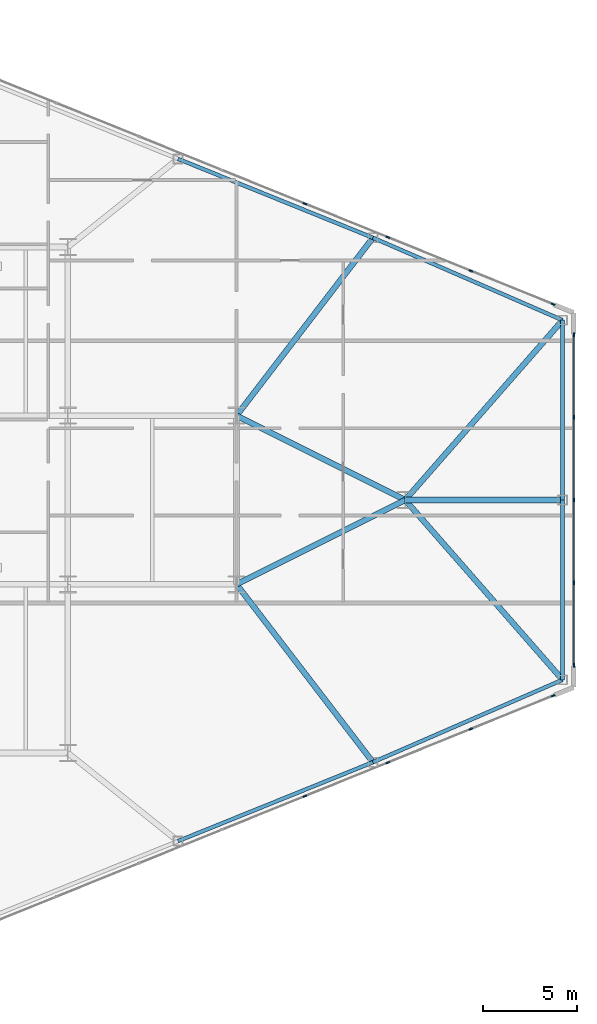
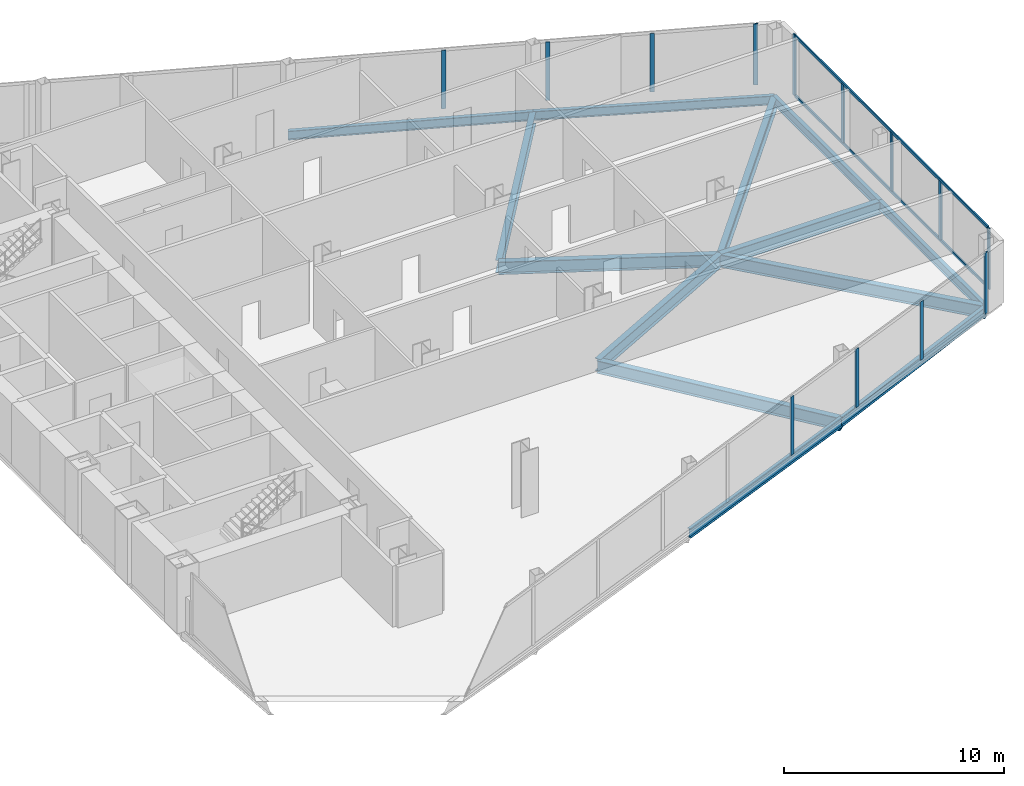
# One storey, part 14 of 25: 15 members, 13 beams, 3 elements without a shape of their own.
"""IFC4 building model written with IfcOpenShell, lengths in metres."""

from ifc_helpers import new_model, si_unit, direction, frame, origin, origin_2d, place, context, subcontext, project, spatial, rectangle, i_section, extrude, source, transform, mapped, material, layer, layer_set, material_profile, profile_set, type_object, type_shapes, element, aggregate, save


model = new_model("IFC4")

# Units and contexts
model_context = context("Model", 3, precision=1e-05, world=origin(), true_north=direction((0.0, 1.0)))
body_context = subcontext(model_context, "Body", "Model", "MODEL_VIEW")
ifc_project = project(units=[si_unit("LENGTHUNIT", "METRE"), si_unit("AREAUNIT", "SQUARE_METRE"), si_unit("VOLUMEUNIT", "CUBIC_METRE"), si_unit("PLANEANGLEUNIT", "RADIAN"), si_unit("MASSUNIT", "GRAM", prefix="KILO")], contexts=[model_context])

# Site, building, storey
site_placement = place(None, origin())
site = spatial("IfcSite", under=ifc_project, at=site_placement, CompositionType="ELEMENT")
building_placement = place(site_placement, origin())
building = spatial("IfcBuilding", under=site, at=building_placement, Name="Seokmaru Belvedere", CompositionType="ELEMENT")
storey_placement = place(building_placement, frame((0.0, 0.0, 58.5)))
storey = spatial("IfcBuildingStorey", under=building, at=storey_placement, Name="L15", CompositionType="ELEMENT", Elevation=58.5)

# Beams
ifc_material_1 = material(Name="Steel SM355 (355 MPa)", Category="steel")
ifc_material_profile_1 = material_profile(ifc_material_1, i_section(OverallWidth=0.300048828125, OverallDepth=0.699951171875, WebThickness=0.012939453125, FlangeThickness=0.02392578125, at=origin_2d()), Name="H-700x300x13x24")
ifc_profile_set_1 = profile_set([ifc_material_profile_1], Name="Steel SM355 (355 MPa)")
beam_type_1 = type_object("IfcBeamType", Name="Primary Floor Girder H-700", PredefinedType="BEAM", material=ifc_profile_set_1)
shared_shape_1 = source(origin(), body_context, "Body", "SweptSolid", [
    extrude(i_section(OverallWidth=0.300048828125, OverallDepth=0.699951171875, WebThickness=0.012939453125, FlangeThickness=0.02392578125, at=origin_2d()), origin(), (0.0, 0.0, 1.0), 10.062255859375),
])
for number, where, z_axis, x_axis, name in (
    (1, (54.5, -4.5, -0.570068359375), (0.894427191, 0.4472135955, 0.0), (-0.4472135955, 0.894427191, 0.0), "L15 E Apex Converging Girder 1"),
    (2, (54.5, 4.5, -0.570068359375), (0.894427191, -0.4472135955, 0.0), (0.4472135955, 0.894427191, 0.0), "L15 E Apex Converging Girder 2"),
):
    element("IfcBeam", number, at=place(storey_placement, frame(where, z_axis=z_axis, x_axis=x_axis)), inside=storey, type_object=beam_type_1, Name=name, PredefinedType="BEAM", context=body_context, shape_type="MappedRepresentation", body=[
        mapped(shared_shape_1, transform((0.0, 0.0, 0.0), scale=1.0)),
    ])
shared_shape_2 = source(origin(), body_context, "Body", "SweptSolid", [
    extrude(i_section(OverallWidth=0.300048828125, OverallDepth=0.699951171875, WebThickness=0.012939453125, FlangeThickness=0.02392578125, at=origin_2d()), origin(), (0.0, 0.0, 1.0), 12.7529296875),
])
for number, where, z_axis, x_axis, name in (
    (3, (71.89990234375, -9.595703125, -0.570068359375), (-0.658667231479, 0.752434368019, 0.0), (-0.752434368019, -0.658667231479, 0.0), "L15 E Apex Radial Floor Girder 1"),
    (4, (71.89990234375, 9.595703125, -0.570068359375), (-0.658667231479, -0.752434368019, 0.0), (0.752434368019, -0.658667231479, 0.0), "L15 E Apex Radial Floor Girder 2"),
):
    element("IfcBeam", number, at=place(storey_placement, frame(where, z_axis=z_axis, x_axis=x_axis)), inside=storey, type_object=beam_type_1, Name=name, PredefinedType="BEAM", context=body_context, shape_type="MappedRepresentation", body=[
        mapped(shared_shape_2, transform((0.0, 0.0, 0.0), scale=1.0)),
    ])
ifc_material_profile_2 = material_profile(ifc_material_1, i_section(OverallWidth=0.199951171875, OverallDepth=0.5, WebThickness=0.010009765625, FlangeThickness=0.01611328125, at=origin_2d()), Name="H-500x200x10x16")
ifc_profile_set_2 = profile_set([ifc_material_profile_2], Name="Steel SM355 (355 MPa)")
beam_type_2 = type_object("IfcBeamType", Name="Perimeter Spandrel Beam H-500", PredefinedType="SPANDREL", material=ifc_profile_set_2)
shared_shape_3 = source(origin(), body_context, "Body", "SweptSolid", [
    extrude(i_section(OverallWidth=0.199951171875, OverallDepth=0.5, WebThickness=0.010009765625, FlangeThickness=0.01611328125, at=origin_2d()), origin(), (0.0, 0.0, 1.0), 11.220703125),
])
for number, where, z_axis, x_axis, name in (
    (5, (51.378173828125, -18.2041015625, -0.469970703125), (0.926944290816, 0.375198989503, 0.0), (-0.375198989503, 0.926944290816, 0.0), "L15 E Faceted Flank Spandrel S-3"),
    (6, (51.378173828125, 18.2041015625, -0.469970703125), (0.926944290816, -0.375198989503, 0.0), (0.375198989503, 0.926944290816, 0.0), "L15 E Faceted Flank Spandrel N-3"),
):
    element("IfcBeam", number, at=place(storey_placement, frame(where, z_axis=z_axis, x_axis=x_axis)), inside=storey, type_object=beam_type_2, Name=name, PredefinedType="SPANDREL", context=body_context, shape_type="MappedRepresentation", body=[
        mapped(shared_shape_3, transform((0.0, 0.0, 0.0), scale=1.0)),
    ])
shared_shape_4 = source(origin(), body_context, "Body", "SweptSolid", [
    extrude(i_section(OverallWidth=0.199951171875, OverallDepth=0.5, WebThickness=0.010009765625, FlangeThickness=0.01611328125, at=origin_2d()), origin(), (0.0, 0.0, 1.0), 11.035400390625),
])
for number, where, z_axis, x_axis, name in (
    (7, (61.779052734375, -13.994140625, -0.469970703125), (0.917134058682, 0.398578873507, 0.0), (-0.398578873507, 0.917134058682, 0.0), "L15 E Faceted Flank Spandrel S-4"),
    (8, (61.779052734375, 13.994140625, -0.469970703125), (0.917134058682, -0.398578873507, 0.0), (0.398578873507, 0.917134058682, 0.0), "L15 E Faceted Flank Spandrel N-4"),
):
    element("IfcBeam", number, at=place(storey_placement, frame(where, z_axis=z_axis, x_axis=x_axis)), inside=storey, type_object=beam_type_2, Name=name, PredefinedType="SPANDREL", context=body_context, shape_type="MappedRepresentation", body=[
        mapped(shared_shape_4, transform((0.0, 0.0, 0.0), scale=1.0)),
    ])
shared_shape_5 = source(origin(), body_context, "Body", "SweptSolid", [
    extrude(i_section(OverallWidth=0.199951171875, OverallDepth=0.5, WebThickness=0.010009765625, FlangeThickness=0.01611328125, at=origin_2d()), origin(), (0.0, 0.0, 1.0), 9.595703125),
])
type_shapes(beam_type_2, [shared_shape_3, shared_shape_4, shared_shape_5])
for number, where, z_axis, x_axis, name in (
    (9, (71.89990234375, -9.595703125, -0.469970703125), (0.0, 1.0, 0.0), (-1.0, 0.0, 0.0), "L15 E Faceted Apex Spandrel S"),
    (10, (71.89990234375, 0.0, -0.469970703125), (0.0, 1.0, 0.0), (-1.0, 0.0, 0.0), "L15 E Faceted Apex Spandrel N"),
):
    element("IfcBeam", number, at=place(storey_placement, frame(where, z_axis=z_axis, x_axis=x_axis)), inside=storey, type_object=beam_type_2, Name=name, PredefinedType="SPANDREL", context=body_context, shape_type="MappedRepresentation", body=[
        mapped(shared_shape_5, transform((0.0, 0.0, 0.0), scale=1.0)),
    ])
shared_shape_6 = source(origin(), body_context, "Body", "SweptSolid", [
    extrude(i_section(OverallWidth=0.300048828125, OverallDepth=0.699951171875, WebThickness=0.012939453125, FlangeThickness=0.02392578125, at=origin_2d()), origin(), (0.0, 0.0, 1.0), 11.96337890625),
])
for number, where, z_axis, x_axis, name in (
    (11, (61.779052734375, -13.994140625, -0.570068359375), (-0.608442682624, 0.793597821294, 0.0), (-0.793597821294, -0.608442682624, 0.0), "L15 E Flank Radial Floor Girder S-3"),
    (12, (61.779052734375, 13.994140625, -0.570068359375), (-0.608442682624, -0.793597821294, 0.0), (0.793597821294, -0.608442682624, 0.0), "L15 E Flank Radial Floor Girder N-3"),
):
    element("IfcBeam", number, at=place(storey_placement, frame(where, z_axis=z_axis, x_axis=x_axis)), inside=storey, type_object=beam_type_1, Name=name, PredefinedType="BEAM", context=body_context, shape_type="MappedRepresentation", body=[
        mapped(shared_shape_6, transform((0.0, 0.0, 0.0), scale=1.0)),
    ])
shared_shape_7 = source(origin(), body_context, "Body", "SweptSolid", [
    extrude(i_section(OverallWidth=0.300048828125, OverallDepth=0.699951171875, WebThickness=0.012939453125, FlangeThickness=0.02392578125, at=origin_2d()), origin(), (0.0, 0.0, 1.0), 8.39990234375),
])
type_shapes(beam_type_1, [shared_shape_1, shared_shape_2, shared_shape_6, shared_shape_7])
beam_placement = place(storey_placement, frame((71.89990234375, 0.0, -0.570068359375), z_axis=(-1.0, 0.0, 0.0), x_axis=(0.0, -1.0, 0.0)))
element("IfcBeam", 13, at=beam_placement, inside=storey, type_object=beam_type_1, Name="L15 E Apex Center Radial Girder", PredefinedType="BEAM", context=body_context, shape_type="MappedRepresentation", body=[
    mapped(shared_shape_7, transform((0.0, 0.0, 0.0), scale=1.0)),
])

# Curtain wall, members
ifc_material_2 = material(Name="Bronze Triple Insulating Glass", Category="glass")
ifc_layer = layer(ifc_material_2, 0.2099609375)
ifc_layer_set = layer_set([ifc_layer], Name="Bronze Triple Insulating Glass")
curtain_wall_type = type_object("IfcCurtainWallType", Name="Low-Rise Faceted Crystal Curtain Wall System CW-2", PredefinedType="NOTDEFINED", material=ifc_layer_set)
curtain_wall_1_placement = place(storey_placement, origin())
curtain_wall_1 = element("IfcCurtainWall", 14, at=curtain_wall_1_placement, inside=storey, type_object=curtain_wall_type, Name="L15 Curtain Wall EF1", PredefinedType="NOTDEFINED")
ifc_material_3 = material(Name="Anodised Bronze Aluminium", Category="aluminium")
ifc_material_profile_3 = material_profile(ifc_material_3, rectangle(XDim=0.074951171875, YDim=0.2099609375, at=origin_2d()), Name="CW-M-75x210")
ifc_profile_set_3 = profile_set([ifc_material_profile_3], Name="Anodised Bronze Aluminium")
member_type_1 = type_object("IfcMemberType", Name="Bronze Unitised Mullion 75x210", PredefinedType="MULLION", material=ifc_profile_set_3)
shared_shape_8 = source(origin(), body_context, "Body", "SweptSolid", [
    extrude(rectangle(XDim=0.074951171875, YDim=0.2099609375, at=origin_2d()), origin(), (0.0, 0.0, 1.0), 3.239990234375),
])
member_1_placement = place(storey_placement, frame((58.144775390625, -15.810546875, 0.070068359375), z_axis=(0.0, 0.0, 1.0), x_axis=(-0.375192321888, 0.926946989637, 0.0)))
member_1 = element("IfcMember", 15, at=member_1_placement, type_object=member_type_1, Name="CW:L15:EF1 Mullion 7", PredefinedType="MULLION", context=body_context, shape_type="MappedRepresentation", body=[
    mapped(shared_shape_8, transform((0.0, 0.0, 0.0), scale=1.0)),
])
member_2_placement = place(storey_placement, frame((62.574462890625, -14.017578125, 0.070068359375), z_axis=(0.0, 0.0, 1.0), x_axis=(-0.375192321888, 0.926946989637, 0.0)))
member_2 = element("IfcMember", 16, at=member_2_placement, type_object=member_type_1, Name="CW:L15:EF1 Mullion 8", PredefinedType="MULLION", context=body_context, shape_type="MappedRepresentation", body=[
    mapped(shared_shape_8, transform((0.0, 0.0, 0.0), scale=1.0)),
])
member_3_placement = place(storey_placement, frame((67.004150390625, -12.224609375, 0.070068359375), z_axis=(0.0, 0.0, 1.0), x_axis=(-0.375192321888, 0.926946989637, 0.0)))
member_3 = element("IfcMember", 17, at=member_3_placement, type_object=member_type_1, Name="CW:L15:EF1 Mullion 9", PredefinedType="MULLION", context=body_context, shape_type="MappedRepresentation", body=[
    mapped(shared_shape_8, transform((0.0, 0.0, 0.0), scale=1.0)),
])

curtain_wall_2_placement = place(storey_placement, origin())
curtain_wall_2 = element("IfcCurtainWall", 18, at=curtain_wall_2_placement, inside=storey, type_object=curtain_wall_type, Name="L15 Curtain Wall EF2", PredefinedType="NOTDEFINED")
member_4_placement = place(storey_placement, frame((72.5, -4.425048828125, 0.070068359375), z_axis=(0.0, 0.0, 1.0), x_axis=(-1.0, 0.0, 0.0)))
member_4 = element("IfcMember", 19, at=member_4_placement, type_object=member_type_1, Name="CW:L15:EF2 Mullion 2", PredefinedType="MULLION", context=body_context, shape_type="MappedRepresentation", body=[
    mapped(shared_shape_8, transform((0.0, 0.0, 0.0), scale=1.0)),
])
member_5_placement = place(storey_placement, frame((72.5, 0.0, 0.070068359375), z_axis=(0.0, 0.0, 1.0), x_axis=(-1.0, 0.0, 0.0)))
member_5 = element("IfcMember", 20, at=member_5_placement, type_object=member_type_1, Name="CW:L15:EF2 Mullion 3", PredefinedType="MULLION", context=body_context, shape_type="MappedRepresentation", body=[
    mapped(shared_shape_8, transform((0.0, 0.0, 0.0), scale=1.0)),
])
member_6_placement = place(storey_placement, frame((72.5, 4.425048828125, 0.070068359375), z_axis=(0.0, 0.0, 1.0), x_axis=(-1.0, 0.0, 0.0)))
member_6 = element("IfcMember", 21, at=member_6_placement, type_object=member_type_1, Name="CW:L15:EF2 Mullion 4", PredefinedType="MULLION", context=body_context, shape_type="MappedRepresentation", body=[
    mapped(shared_shape_8, transform((0.0, 0.0, 0.0), scale=1.0)),
])

curtain_wall_3_placement = place(storey_placement, origin())
curtain_wall_3 = element("IfcCurtainWall", 22, at=curtain_wall_3_placement, inside=storey, type_object=curtain_wall_type, Name="L15 Curtain Wall EF3", PredefinedType="NOTDEFINED")
member_7_placement = place(storey_placement, frame((67.004150390625, 12.224609375, 0.070068359375), z_axis=(0.0, 0.0, 1.0), x_axis=(-0.375192321888, -0.926946989637, 0.0)))
member_7 = element("IfcMember", 23, at=member_7_placement, type_object=member_type_1, Name="CW:L15:EF3 Mullion 2", PredefinedType="MULLION", context=body_context, shape_type="MappedRepresentation", body=[
    mapped(shared_shape_8, transform((0.0, 0.0, 0.0), scale=1.0)),
])
member_8_placement = place(storey_placement, frame((62.574462890625, 14.017578125, 0.070068359375), z_axis=(0.0, 0.0, 1.0), x_axis=(-0.375192321888, -0.926946989637, 0.0)))
member_8 = element("IfcMember", 24, at=member_8_placement, type_object=member_type_1, Name="CW:L15:EF3 Mullion 3", PredefinedType="MULLION", context=body_context, shape_type="MappedRepresentation", body=[
    mapped(shared_shape_8, transform((0.0, 0.0, 0.0), scale=1.0)),
])
member_9_placement = place(storey_placement, frame((58.144775390625, 15.810546875, 0.070068359375), z_axis=(0.0, 0.0, 1.0), x_axis=(-0.375192321888, -0.926946989637, 0.0)))
member_9 = element("IfcMember", 25, at=member_9_placement, type_object=member_type_1, Name="CW:L15:EF3 Mullion 4", PredefinedType="MULLION", context=body_context, shape_type="MappedRepresentation", body=[
    mapped(shared_shape_8, transform((0.0, 0.0, 0.0), scale=1.0)),
])

# Member
ifc_material_profile_4 = material_profile(ifc_material_3, rectangle(XDim=0.070068359375, YDim=0.1650390625, at=origin_2d()), Name="CW-T-70x165")
ifc_profile_set_4 = profile_set([ifc_material_profile_4], Name="Anodised Bronze Aluminium")
member_type_2 = type_object("IfcMemberType", Name="Bronze Unitised Transom 70x165", PredefinedType="USERDEFINED", material=ifc_profile_set_4)
shared_shape_9 = source(origin(), body_context, "Body", "SweptSolid", [
    extrude(rectangle(XDim=0.070068359375, YDim=0.1650390625, at=origin_2d()), origin(), (0.0, 0.0, 1.0), 17.5498046875),
])
type_shapes(member_type_2, [shared_shape_9])
member_10_placement = place(storey_placement, frame((72.5, -8.77490234375, 0.034912109375), z_axis=(0.0, 1.0, 0.0), x_axis=(-1.0, 0.0, 0.0)))
member_10 = element("IfcMember", 26, at=member_10_placement, type_object=member_type_2, Name="CW:L15:EF2 Continuous Transom 1", ObjectType="TRANSOM", PredefinedType="USERDEFINED", context=body_context, shape_type="MappedRepresentation", body=[
    mapped(shared_shape_9, transform((0.0, 0.0, 0.0), scale=1.0)),
])

member_11_placement = place(storey_placement, frame((72.5, -8.77490234375, 3.344970703125), z_axis=(0.0, 1.0, 0.0), x_axis=(-1.0, 0.0, 0.0)))
member_11 = element("IfcMember", 27, at=member_11_placement, type_object=member_type_2, Name="CW:L15:EF2 Continuous Transom 2", ObjectType="TRANSOM", PredefinedType="USERDEFINED", context=body_context, shape_type="MappedRepresentation", body=[
    mapped(shared_shape_9, transform((0.0, 0.0, 0.0), scale=1.0)),
])

shared_shape_10 = source(origin(), body_context, "Body", "SweptSolid", [
    extrude(rectangle(XDim=0.074951171875, YDim=0.2099609375, at=origin_2d()), origin(), (0.0, 0.0, 1.0), 3.3798828125),
])
type_shapes(member_type_1, [shared_shape_8, shared_shape_10])
member_12_placement = place(storey_placement, frame((71.399169921875, -10.445556640625, 0.0), z_axis=(0.0, 0.0, 1.0), x_axis=(-0.375192321888, 0.926946989637, 0.0)))
member_12 = element("IfcMember", 28, at=member_12_placement, type_object=member_type_1, Name="CW:L15:EF1 Mullion 10", PredefinedType="MULLION", context=body_context, shape_type="MappedRepresentation", body=[
    mapped(shared_shape_10, transform((0.0, 0.0, 0.0), scale=1.0)),
])

aggregate(curtain_wall_1, [member_1, member_2, member_3, member_12])

member_13_placement = place(storey_placement, frame((72.5, -8.8125, 0.0), z_axis=(0.0, 0.0, 1.0), x_axis=(-1.0, 0.0, 0.0)))
member_13 = element("IfcMember", 29, at=member_13_placement, type_object=member_type_1, Name="CW:L15:EF2 Mullion 1", PredefinedType="MULLION", context=body_context, shape_type="MappedRepresentation", body=[
    mapped(shared_shape_10, transform((0.0, 0.0, 0.0), scale=1.0)),
])

member_14_placement = place(storey_placement, frame((72.5, 8.8125, 0.0), z_axis=(0.0, 0.0, 1.0), x_axis=(-1.0, 0.0, 0.0)))
member_14 = element("IfcMember", 30, at=member_14_placement, type_object=member_type_1, Name="CW:L15:EF2 Mullion 5", PredefinedType="MULLION", context=body_context, shape_type="MappedRepresentation", body=[
    mapped(shared_shape_10, transform((0.0, 0.0, 0.0), scale=1.0)),
])

aggregate(curtain_wall_2, [member_13, member_4, member_5, member_6, member_14, member_10, member_11])

member_15_placement = place(storey_placement, frame((71.399169921875, 10.445556640625, 0.0), z_axis=(0.0, 0.0, 1.0), x_axis=(-0.375192321888, -0.926946989637, 0.0)))
member_15 = element("IfcMember", 31, at=member_15_placement, type_object=member_type_1, Name="CW:L15:EF3 Mullion 1", PredefinedType="MULLION", context=body_context, shape_type="MappedRepresentation", body=[
    mapped(shared_shape_10, transform((0.0, 0.0, 0.0), scale=1.0)),
])

aggregate(curtain_wall_3, [member_15, member_7, member_8, member_9])

save(model, "model.ifc")
